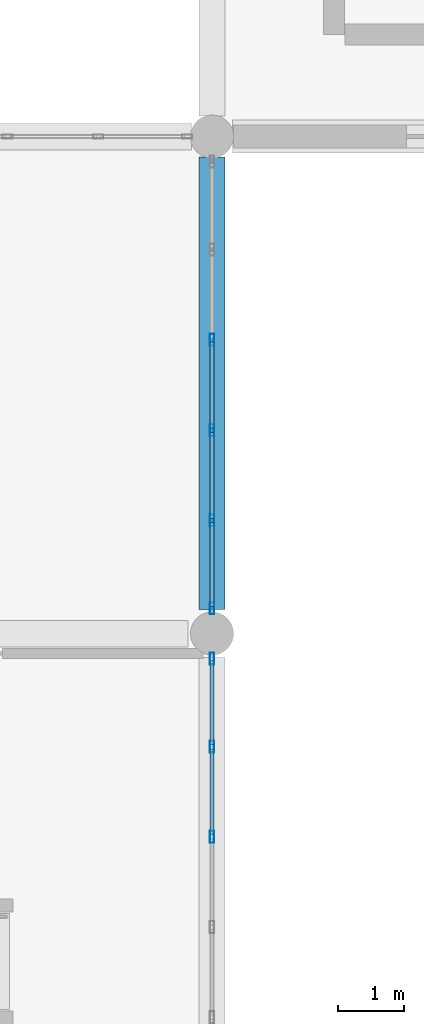
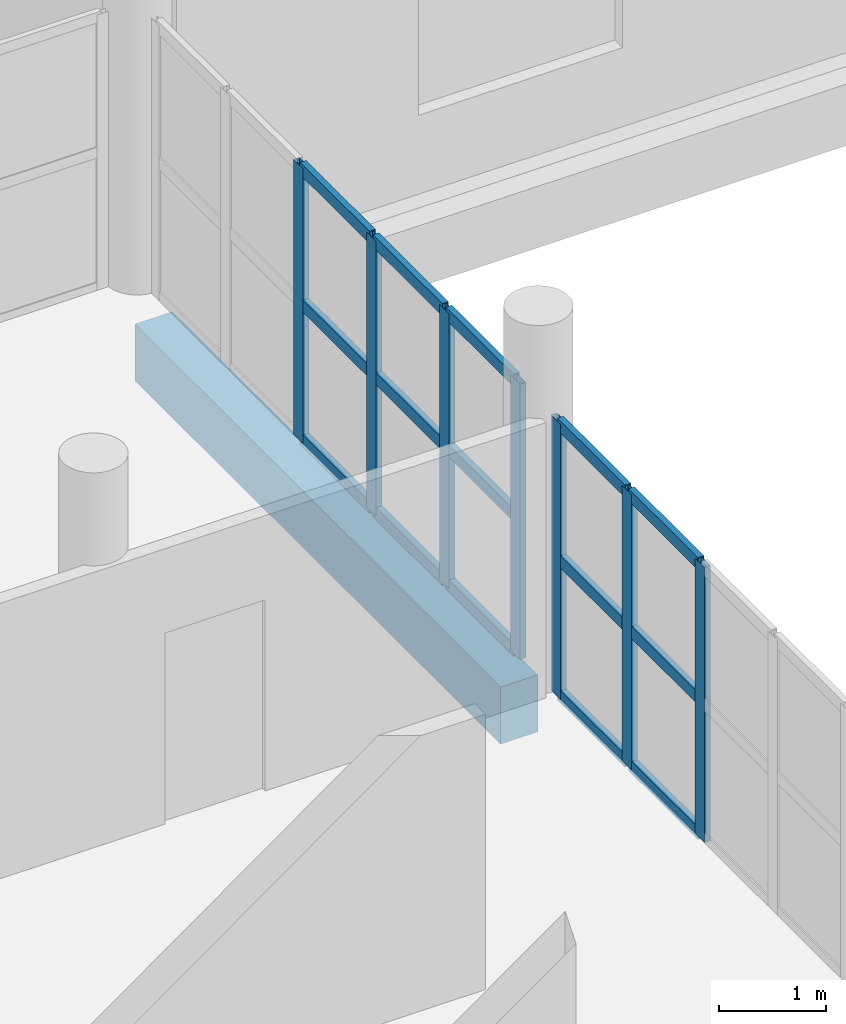
# One storey, part 93 of 164: 22 members, 1 beam, 2 elements without a shape of their own.
"""IFC4 building model written with IfcOpenShell, lengths in metres."""

from ifc_helpers import new_model, si_unit, direction, frame, origin, origin_2d, place, context, subcontext, project, spatial, rectangle, hollow_rectangle, extrude, material, layer, layer_set, material_profile, profile_set, type_object, element, aggregate, save


model = new_model("IFC4")

# Units and contexts
model_context = context("Model", 3, precision=1e-05, world=origin(), true_north=direction((0.0, 1.0)))
body_context = subcontext(model_context, "Body", "Model", "MODEL_VIEW")
ifc_project = project(units=[si_unit("LENGTHUNIT", "METRE"), si_unit("AREAUNIT", "SQUARE_METRE"), si_unit("VOLUMEUNIT", "CUBIC_METRE"), si_unit("PLANEANGLEUNIT", "RADIAN"), si_unit("MASSUNIT", "GRAM", prefix="KILO")], contexts=[model_context])

# Site, building, storey
site_placement = place(None, origin())
site = spatial("IfcSite", under=ifc_project, at=site_placement, CompositionType="ELEMENT")
building_placement = place(site_placement, origin())
building = spatial("IfcBuilding", under=site, at=building_placement, Name="Mawjan Specialist Oncology Clinic", CompositionType="ELEMENT")
storey_placement = place(building_placement, frame((0.0, 0.0, 5.0)))
storey = spatial("IfcBuildingStorey", under=building, at=storey_placement, Name="L01", CompositionType="ELEMENT", Elevation=5.0)

# Curtain wall, members
ifc_material_1 = material(Name="Unitised spectrally selective aluminium curtain wall", Category="aluminium")
ifc_layer = layer(ifc_material_1, 0.179931640625, Name="Unitised spectrally selective aluminium curtain wall", Category="aluminium")
ifc_layer_set = layer_set([ifc_layer], Name="Unitised spectrally selective aluminium curtain wall")
curtain_wall_type = type_object("IfcCurtainWallType", Name="CW-55", PredefinedType="NOTDEFINED", material=ifc_layer_set)
curtain_wall_1_placement = place(storey_placement, origin())
curtain_wall_1 = element("IfcCurtainWall", 1, at=curtain_wall_1_placement, inside=storey, type_object=curtain_wall_type, Name="L01 Unitised Curtain Wall CW-L01-132", PredefinedType="NOTDEFINED")
ifc_material_2 = material(Name="Thermally broken aluminium 6063-T6", Category="aluminium")
ifc_material_profile_1 = material_profile(ifc_material_2, hollow_rectangle(XDim=0.06494140625, YDim=0.179931640625, WallThickness=0.00390625, at=origin_2d()), Name="ALU MULLION 180x65x4", Category="aluminium")
ifc_profile_set_1 = profile_set([ifc_material_profile_1], Name="Thermally broken aluminium 6063-T6")
member_type_1 = type_object("IfcMemberType", Name="CW-M180", PredefinedType="MULLION", material=ifc_profile_set_1)
member_1_placement = place(storey_placement, frame((108.0, 72.73095703125, 0.0), z_axis=(0.0, 0.0, 1.0), x_axis=(1.0, 0.0, 0.0)))
member_1 = element("IfcMember", 2, at=member_1_placement, type_object=member_type_1, Name="CW-55 mullion 3", PredefinedType="MULLION", context=body_context, shape_type="SweptSolid", body=[
    extrude(hollow_rectangle(XDim=0.06494140625, YDim=0.179931640625, WallThickness=0.00390625, at=origin_2d()), origin(), (0.0, 0.0, 1.0), 3.139892578125),
])
member_2_placement = place(storey_placement, frame((108.0, 71.368896484375, 0.0), z_axis=(0.0, 0.0, 1.0), x_axis=(1.0, 0.0, 0.0)))
member_2 = element("IfcMember", 3, at=member_2_placement, type_object=member_type_1, Name="CW-55 mullion 4", PredefinedType="MULLION", context=body_context, shape_type="SweptSolid", body=[
    extrude(hollow_rectangle(XDim=0.06494140625, YDim=0.179931640625, WallThickness=0.00390625, at=origin_2d()), origin(), (0.0, 0.0, 1.0), 3.139892578125),
])
member_3_placement = place(storey_placement, frame((108.0, 70.007080078125, 0.0), z_axis=(0.0, 0.0, 1.0), x_axis=(1.0, 0.0, 0.0)))
member_3 = element("IfcMember", 4, at=member_3_placement, type_object=member_type_1, Name="CW-55 mullion 5", PredefinedType="MULLION", context=body_context, shape_type="SweptSolid", body=[
    extrude(hollow_rectangle(XDim=0.06494140625, YDim=0.179931640625, WallThickness=0.00390625, at=origin_2d()), origin(), (0.0, 0.0, 1.0), 3.139892578125),
])
member_4_placement = place(storey_placement, frame((108.0, 68.677490234375, 0.0), z_axis=(0.0, 0.0, 1.0), x_axis=(1.0, 0.0, 0.0)))
member_4 = element("IfcMember", 5, at=member_4_placement, type_object=member_type_1, Name="CW-55 mullion 6", PredefinedType="MULLION", context=body_context, shape_type="SweptSolid", body=[
    extrude(hollow_rectangle(XDim=0.06494140625, YDim=0.179931640625, WallThickness=0.00390625, at=origin_2d()), origin(), (0.0, 0.0, 1.0), 3.139892578125),
])

curtain_wall_2_placement = place(storey_placement, origin())
curtain_wall_2 = element("IfcCurtainWall", 6, at=curtain_wall_2_placement, inside=storey, type_object=curtain_wall_type, Name="L01 Unitised Curtain Wall CW-L01-133", PredefinedType="NOTDEFINED")
member_5_placement = place(storey_placement, frame((108.0, 67.922607421875, 0.0), z_axis=(0.0, 0.0, 1.0), x_axis=(1.0, 0.0, 0.0)))
member_5 = element("IfcMember", 7, at=member_5_placement, type_object=member_type_1, Name="CW-55 mullion 1", PredefinedType="MULLION", context=body_context, shape_type="SweptSolid", body=[
    extrude(hollow_rectangle(XDim=0.06494140625, YDim=0.179931640625, WallThickness=0.00390625, at=origin_2d()), origin(), (0.0, 0.0, 1.0), 3.139892578125),
])
member_6_placement = place(storey_placement, frame((108.0, 66.593017578125, 0.0), z_axis=(0.0, 0.0, 1.0), x_axis=(1.0, 0.0, 0.0)))
member_6 = element("IfcMember", 8, at=member_6_placement, type_object=member_type_1, Name="CW-55 mullion 2", PredefinedType="MULLION", context=body_context, shape_type="SweptSolid", body=[
    extrude(hollow_rectangle(XDim=0.06494140625, YDim=0.179931640625, WallThickness=0.00390625, at=origin_2d()), origin(), (0.0, 0.0, 1.0), 3.139892578125),
])
member_7_placement = place(storey_placement, frame((108.0, 65.23095703125, 0.0), z_axis=(0.0, 0.0, 1.0), x_axis=(1.0, 0.0, 0.0)))
member_7 = element("IfcMember", 9, at=member_7_placement, type_object=member_type_1, Name="CW-55 mullion 3", PredefinedType="MULLION", context=body_context, shape_type="SweptSolid", body=[
    extrude(hollow_rectangle(XDim=0.06494140625, YDim=0.179931640625, WallThickness=0.00390625, at=origin_2d()), origin(), (0.0, 0.0, 1.0), 3.139892578125),
])

# Member
ifc_material_3 = material(Name="Thermally broken aluminium 6063-T6", Category="aluminium")
ifc_material_profile_2 = material_profile(ifc_material_3, hollow_rectangle(XDim=0.06494140625, YDim=0.139892578125, WallThickness=0.00390625, at=origin_2d()), Name="ALU TRANSOM 140x65x4", Category="aluminium")
ifc_profile_set_2 = profile_set([ifc_material_profile_2], Name="Thermally broken aluminium 6063-T6")
member_type_2 = type_object("IfcMemberType", Name="CW-T140", PredefinedType="USERDEFINED", material=ifc_profile_set_2)
member_8_placement = place(storey_placement, frame((108.0, 72.698486328125, 0.032470703125), z_axis=(0.0, -1.0, 0.0), x_axis=(1.0, 0.0, 0.0)))
member_8 = element("IfcMember", 10, at=member_8_placement, type_object=member_type_2, Name="CW-55 transom 3.1", ObjectType="TRANSOM", PredefinedType="USERDEFINED", context=body_context, shape_type="SweptSolid", body=[
    extrude(hollow_rectangle(XDim=0.06494140625, YDim=0.139892578125, WallThickness=0.00390625, at=origin_2d()), origin(), (0.0, 0.0, 1.0), 1.296875),
])

member_9_placement = place(storey_placement, frame((108.0, 72.698486328125, 1.570068359375), z_axis=(0.0, -1.0, 0.0), x_axis=(1.0, 0.0, 0.0)))
member_9 = element("IfcMember", 11, at=member_9_placement, type_object=member_type_2, Name="CW-55 transom 3.2", ObjectType="TRANSOM", PredefinedType="USERDEFINED", context=body_context, shape_type="SweptSolid", body=[
    extrude(hollow_rectangle(XDim=0.06494140625, YDim=0.139892578125, WallThickness=0.00390625, at=origin_2d()), origin(), (0.0, 0.0, 1.0), 1.296875),
])

member_10_placement = place(storey_placement, frame((108.0, 72.698486328125, 3.107421875), z_axis=(0.0, -1.0, 0.0), x_axis=(1.0, 0.0, 0.0)))
member_10 = element("IfcMember", 12, at=member_10_placement, type_object=member_type_2, Name="CW-55 transom 3.3", ObjectType="TRANSOM", PredefinedType="USERDEFINED", context=body_context, shape_type="SweptSolid", body=[
    extrude(hollow_rectangle(XDim=0.06494140625, YDim=0.139892578125, WallThickness=0.00390625, at=origin_2d()), origin(), (0.0, 0.0, 1.0), 1.296875),
])

member_11_placement = place(storey_placement, frame((108.0, 71.33642578125, 0.032470703125), z_axis=(0.0, -1.0, 0.0), x_axis=(1.0, 0.0, 0.0)))
member_11 = element("IfcMember", 13, at=member_11_placement, type_object=member_type_2, Name="CW-55 transom 4.1", ObjectType="TRANSOM", PredefinedType="USERDEFINED", context=body_context, shape_type="SweptSolid", body=[
    extrude(hollow_rectangle(XDim=0.06494140625, YDim=0.139892578125, WallThickness=0.00390625, at=origin_2d()), origin(), (0.0, 0.0, 1.0), 1.296875),
])

member_12_placement = place(storey_placement, frame((108.0, 71.33642578125, 1.570068359375), z_axis=(0.0, -1.0, 0.0), x_axis=(1.0, 0.0, 0.0)))
member_12 = element("IfcMember", 14, at=member_12_placement, type_object=member_type_2, Name="CW-55 transom 4.2", ObjectType="TRANSOM", PredefinedType="USERDEFINED", context=body_context, shape_type="SweptSolid", body=[
    extrude(hollow_rectangle(XDim=0.06494140625, YDim=0.139892578125, WallThickness=0.00390625, at=origin_2d()), origin(), (0.0, 0.0, 1.0), 1.296875),
])

member_13_placement = place(storey_placement, frame((108.0, 71.33642578125, 3.107421875), z_axis=(0.0, -1.0, 0.0), x_axis=(1.0, 0.0, 0.0)))
member_13 = element("IfcMember", 15, at=member_13_placement, type_object=member_type_2, Name="CW-55 transom 4.3", ObjectType="TRANSOM", PredefinedType="USERDEFINED", context=body_context, shape_type="SweptSolid", body=[
    extrude(hollow_rectangle(XDim=0.06494140625, YDim=0.139892578125, WallThickness=0.00390625, at=origin_2d()), origin(), (0.0, 0.0, 1.0), 1.296875),
])

member_14_placement = place(storey_placement, frame((108.0, 69.974609375, 0.032470703125), z_axis=(0.0, -1.0, 0.0), x_axis=(1.0, 0.0, 0.0)))
member_14 = element("IfcMember", 16, at=member_14_placement, type_object=member_type_2, Name="CW-55 transom 5.1", ObjectType="TRANSOM", PredefinedType="USERDEFINED", context=body_context, shape_type="SweptSolid", body=[
    extrude(hollow_rectangle(XDim=0.06494140625, YDim=0.139892578125, WallThickness=0.00390625, at=origin_2d()), origin(), (0.0, 0.0, 1.0), 1.2646484375),
])

member_15_placement = place(storey_placement, frame((108.0, 69.974609375, 1.570068359375), z_axis=(0.0, -1.0, 0.0), x_axis=(1.0, 0.0, 0.0)))
member_15 = element("IfcMember", 17, at=member_15_placement, type_object=member_type_2, Name="CW-55 transom 5.2", ObjectType="TRANSOM", PredefinedType="USERDEFINED", context=body_context, shape_type="SweptSolid", body=[
    extrude(hollow_rectangle(XDim=0.06494140625, YDim=0.139892578125, WallThickness=0.00390625, at=origin_2d()), origin(), (0.0, 0.0, 1.0), 1.2646484375),
])

member_16_placement = place(storey_placement, frame((108.0, 69.974609375, 3.107421875), z_axis=(0.0, -1.0, 0.0), x_axis=(1.0, 0.0, 0.0)))
member_16 = element("IfcMember", 18, at=member_16_placement, type_object=member_type_2, Name="CW-55 transom 5.3", ObjectType="TRANSOM", PredefinedType="USERDEFINED", context=body_context, shape_type="SweptSolid", body=[
    extrude(hollow_rectangle(XDim=0.06494140625, YDim=0.139892578125, WallThickness=0.00390625, at=origin_2d()), origin(), (0.0, 0.0, 1.0), 1.2646484375),
])

aggregate(curtain_wall_1, [member_1, member_2, member_3, member_4, member_8, member_9, member_10, member_11, member_12, member_13, member_14, member_15, member_16])

member_17_placement = place(storey_placement, frame((108.0, 67.889892578125, 0.032470703125), z_axis=(0.0, -1.0, 0.0), x_axis=(1.0, 0.0, 0.0)))
member_17 = element("IfcMember", 19, at=member_17_placement, type_object=member_type_2, Name="CW-55 transom 1.1", ObjectType="TRANSOM", PredefinedType="USERDEFINED", context=body_context, shape_type="SweptSolid", body=[
    extrude(hollow_rectangle(XDim=0.06494140625, YDim=0.139892578125, WallThickness=0.00390625, at=origin_2d()), origin(), (0.0, 0.0, 1.0), 1.264404296875),
])

member_18_placement = place(storey_placement, frame((108.0, 67.889892578125, 1.570068359375), z_axis=(0.0, -1.0, 0.0), x_axis=(1.0, 0.0, 0.0)))
member_18 = element("IfcMember", 20, at=member_18_placement, type_object=member_type_2, Name="CW-55 transom 1.2", ObjectType="TRANSOM", PredefinedType="USERDEFINED", context=body_context, shape_type="SweptSolid", body=[
    extrude(hollow_rectangle(XDim=0.06494140625, YDim=0.139892578125, WallThickness=0.00390625, at=origin_2d()), origin(), (0.0, 0.0, 1.0), 1.264404296875),
])

member_19_placement = place(storey_placement, frame((108.0, 67.889892578125, 3.107421875), z_axis=(0.0, -1.0, 0.0), x_axis=(1.0, 0.0, 0.0)))
member_19 = element("IfcMember", 21, at=member_19_placement, type_object=member_type_2, Name="CW-55 transom 1.3", ObjectType="TRANSOM", PredefinedType="USERDEFINED", context=body_context, shape_type="SweptSolid", body=[
    extrude(hollow_rectangle(XDim=0.06494140625, YDim=0.139892578125, WallThickness=0.00390625, at=origin_2d()), origin(), (0.0, 0.0, 1.0), 1.264404296875),
])

member_20_placement = place(storey_placement, frame((108.0, 66.560546875, 0.032470703125), z_axis=(0.0, -1.0, 0.0), x_axis=(1.0, 0.0, 0.0)))
member_20 = element("IfcMember", 22, at=member_20_placement, type_object=member_type_2, Name="CW-55 transom 2.1", ObjectType="TRANSOM", PredefinedType="USERDEFINED", context=body_context, shape_type="SweptSolid", body=[
    extrude(hollow_rectangle(XDim=0.06494140625, YDim=0.139892578125, WallThickness=0.00390625, at=origin_2d()), origin(), (0.0, 0.0, 1.0), 1.297119140625),
])

member_21_placement = place(storey_placement, frame((108.0, 66.560546875, 1.570068359375), z_axis=(0.0, -1.0, 0.0), x_axis=(1.0, 0.0, 0.0)))
member_21 = element("IfcMember", 23, at=member_21_placement, type_object=member_type_2, Name="CW-55 transom 2.2", ObjectType="TRANSOM", PredefinedType="USERDEFINED", context=body_context, shape_type="SweptSolid", body=[
    extrude(hollow_rectangle(XDim=0.06494140625, YDim=0.139892578125, WallThickness=0.00390625, at=origin_2d()), origin(), (0.0, 0.0, 1.0), 1.297119140625),
])

member_22_placement = place(storey_placement, frame((108.0, 66.560546875, 3.107421875), z_axis=(0.0, -1.0, 0.0), x_axis=(1.0, 0.0, 0.0)))
member_22 = element("IfcMember", 24, at=member_22_placement, type_object=member_type_2, Name="CW-55 transom 2.3", ObjectType="TRANSOM", PredefinedType="USERDEFINED", context=body_context, shape_type="SweptSolid", body=[
    extrude(hollow_rectangle(XDim=0.06494140625, YDim=0.139892578125, WallThickness=0.00390625, at=origin_2d()), origin(), (0.0, 0.0, 1.0), 1.297119140625),
])

aggregate(curtain_wall_2, [member_5, member_6, member_7, member_17, member_18, member_19, member_20, member_21, member_22])

# Beam
ifc_material_4 = material(Name="Concrete C45/55", Category="concrete")
ifc_material_profile_3 = material_profile(ifc_material_4, rectangle(XDim=0.39990234375, YDim=0.64990234375, at=origin_2d()), Name="RC BM 400x650", Category="concrete")
ifc_profile_set_3 = profile_set([ifc_material_profile_3], Name="Concrete C45/55")
beam_type = type_object("IfcBeamType", Name="SP-400x650", PredefinedType="SPANDREL", material=ifc_profile_set_3)
beam_placement = place(storey_placement, frame((108.0, 68.659912109375, -0.625), z_axis=(0.0, 1.0, 0.0), x_axis=(-1.0, 0.0, 0.0)))
element("IfcBeam", 25, at=beam_placement, inside=storey, type_object=beam_type, Name="L01 Spandrel Beam BM-L01-0560", PredefinedType="SPANDREL", context=body_context, shape_type="SweptSolid", body=[
    extrude(rectangle(XDim=0.39990234375, YDim=0.64990234375, at=origin_2d()), origin(), (0.0, 0.0, 1.0), 6.830078125),
])

save(model, "model.ifc")
